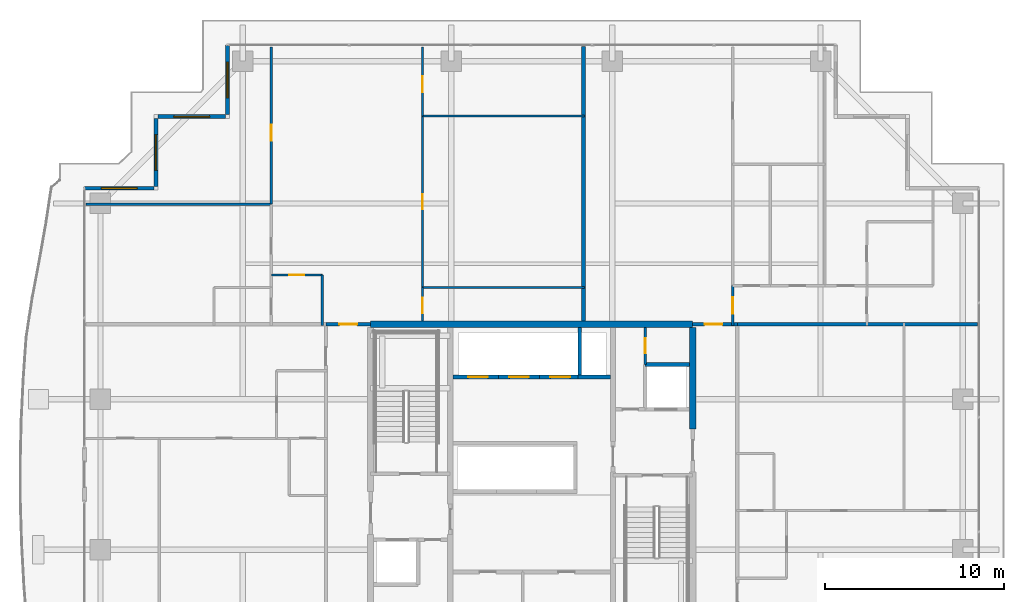
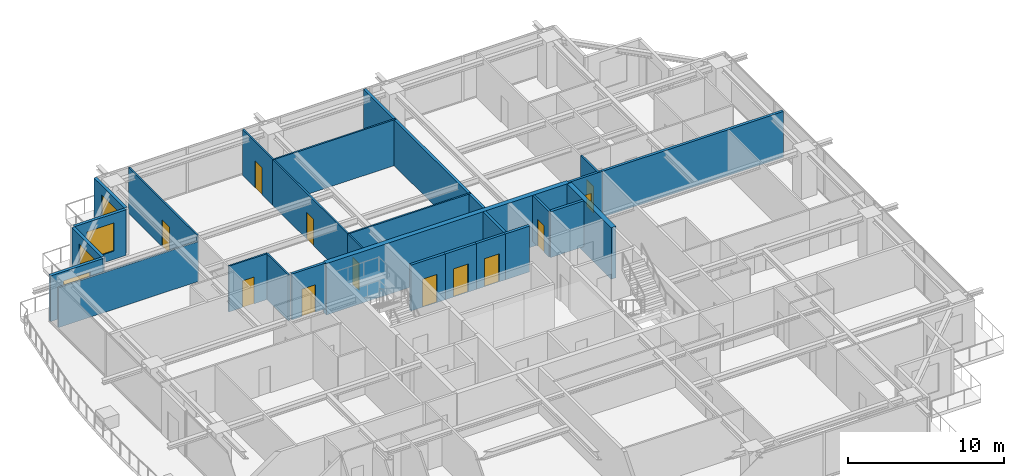
# One storey, part 27 of 35: 27 walls, 12 doors, 4 windows, 16 openings.
"""IFC4 building model written with IfcOpenShell, lengths in metres."""

from ifc_helpers import new_model, si_unit, direction, frame, frame_2d, origin, place, context, subcontext, project, spatial, rectangle, extrude, source, transform, mapped, material, layer, layer_set, type_object, element, fill, save


model = new_model("IFC4")

# Units and contexts
model_context = context("Model", 3, precision=1e-05, world=origin(), true_north=direction((0.0, 1.0)))
body_context = subcontext(model_context, "Body", "Model", "MODEL_VIEW")
ifc_project = project(units=[si_unit("LENGTHUNIT", "METRE"), si_unit("AREAUNIT", "SQUARE_METRE"), si_unit("VOLUMEUNIT", "CUBIC_METRE"), si_unit("PLANEANGLEUNIT", "RADIAN"), si_unit("MASSUNIT", "GRAM", prefix="KILO")], contexts=[model_context])

# Site, building, storey
site_placement = place(None, origin())
site = spatial("IfcSite", under=ifc_project, at=site_placement, CompositionType="ELEMENT")
building_placement = place(site_placement, origin())
building = spatial("IfcBuilding", under=site, at=building_placement, Name="Serunith Strait Residences", CompositionType="ELEMENT")
storey_placement = place(building_placement, frame((0.0, 0.0, 210.449951171875)))
storey = spatial("IfcBuildingStorey", under=building, at=storey_placement, Name="L52", CompositionType="ELEMENT", Elevation=210.449951171875)

# Wall, opening, window
ifc_material_1 = material(Name="Pale-Champagne Aluminium Insulated Panel", Category="aluminium")
ifc_layer_1 = layer(ifc_material_1, 0.219970703125, Name="Pale-Champagne Aluminium Insulated Panel")
ifc_layer_set_1 = layer_set([ifc_layer_1], Name="Pale-Champagne Aluminium Insulated Panel")
wall_type_1 = type_object("IfcWallType", Name="EW-ALUM-220", PredefinedType="ELEMENTEDWALL", material=ifc_layer_set_1)
wall_1_placement = place(storey_placement, frame((15.39990234375, 49.199951171875, 0.0), z_axis=(0.0, 0.0, 1.0), x_axis=(0.0, -1.0, 0.0)))
wall_1 = element("IfcWall", 1, at=wall_1_placement, inside=storey, type_object=wall_type_1, Name="L52 Girih Serrated Corner Wall 12", PredefinedType="ELEMENTEDWALL", context=body_context, shape_type="SweptSolid", body=[
    extrude(rectangle(XDim=3.889892578125, YDim=0.219970703125, at=frame_2d((1.94482421875, 0.0))), origin(), (0.0, 0.0, 1.0), 3.574951171875),
])
opening_1_placement = place(wall_1_placement, frame((0.945068359375, 0.0, 0.64990234375)))
opening_1 = element("IfcOpeningElement", 2, at=opening_1_placement, cuts=wall_1, Name="Opening W-04", PredefinedType="OPENING", context=body_context, shape_type="SweptSolid", body=[
    extrude(rectangle(XDim=2.0, YDim=2.199951171875, at=frame_2d((1.0, 1.10009765625))), frame((0.0, 0.1201171875, 0.0), z_axis=(0.0, -1.0, 0.0), x_axis=(1.0, 0.0, 0.0)), (0.0, 0.0, 1.0), 0.239990234375),
])
ifc_material_2 = material(Name="Ceramic-Fritted Operable Aluminium Window Glass", Category="aluminium")
window_type = type_object("IfcWindowType", Name="WIN-C4", PartitioningType="TRIPLE_PANEL_VERTICAL", PredefinedType="WINDOW", material=ifc_material_2)
shared_shape_1 = source(origin(), body_context, "Body", "SweptSolid", [
    extrude(rectangle(XDim=2.0, YDim=2.199951171875, at=frame_2d((1.0, 1.10009765625))), frame((0.0, 0.030029296875, 0.0), z_axis=(0.0, -1.0, 0.0), x_axis=(1.0, 0.0, 0.0)), (0.0, 0.0, 1.0), 0.06005859375),
])
window_1_placement = place(opening_1_placement, origin())
window_1 = element("IfcWindow", 3, at=window_1_placement, inside=storey, type_object=window_type, Name="L52 Corner Operable Fritted Window 12", OverallHeight=2.199951171875, OverallWidth=2.0, PartitioningType="SINGLE_PANEL", PredefinedType="WINDOW", context=body_context, shape_type="MappedRepresentation", body=[
    mapped(shared_shape_1, transform((0.0, 0.0, 0.0), scale=1.0)),
])
fill(opening_1, window_1)

wall_2_placement = place(storey_placement, frame((15.2900390625, 45.199951171875, 0.0), z_axis=(0.0, 0.0, 1.0), x_axis=(-1.0, 0.0, 0.0)))
wall_2 = element("IfcWall", 4, at=wall_2_placement, inside=storey, type_object=wall_type_1, Name="L52 Girih Serrated Corner Wall 13", PredefinedType="ELEMENTEDWALL", context=body_context, shape_type="SweptSolid", body=[
    extrude(rectangle(XDim=3.780029296875, YDim=0.219970703125, at=frame_2d((1.89013671875, 0.0))), origin(), (0.0, 0.0, 1.0), 3.574951171875),
])
opening_2_placement = place(wall_2_placement, frame((0.889892578125, 0.0, 0.64990234375)))
opening_2 = element("IfcOpeningElement", 5, at=opening_2_placement, cuts=wall_2, Name="Opening W-04", PredefinedType="OPENING", context=body_context, shape_type="SweptSolid", body=[
    extrude(rectangle(XDim=2.0, YDim=2.199951171875, at=frame_2d((1.0, 1.10009765625))), frame((0.0, 0.1201171875, 0.0), z_axis=(0.0, -1.0, 0.0), x_axis=(1.0, 0.0, 0.0)), (0.0, 0.0, 1.0), 0.239990234375),
])
window_2_placement = place(opening_2_placement, origin())
window_2 = element("IfcWindow", 6, at=window_2_placement, inside=storey, type_object=window_type, Name="L52 Corner Operable Fritted Window 13", OverallHeight=2.199951171875, OverallWidth=2.0, PartitioningType="SINGLE_PANEL", PredefinedType="WINDOW", context=body_context, shape_type="MappedRepresentation", body=[
    mapped(shared_shape_1, transform((0.0, 0.0, 0.0), scale=1.0)),
])
fill(opening_2, window_2)

wall_3_placement = place(storey_placement, frame((11.39990234375, 45.090087890625, 0.0), z_axis=(0.0, 0.0, 1.0), x_axis=(0.0, -1.0, 0.0)))
wall_3 = element("IfcWall", 7, at=wall_3_placement, inside=storey, type_object=wall_type_1, Name="L52 Girih Serrated Corner Wall 14", PredefinedType="ELEMENTEDWALL", context=body_context, shape_type="SweptSolid", body=[
    extrude(rectangle(XDim=3.780029296875, YDim=0.219970703125, at=frame_2d((1.89013671875, 0.0))), origin(), (0.0, 0.0, 1.0), 3.574951171875),
])
opening_3_placement = place(wall_3_placement, frame((0.889892578125, 0.0, 0.64990234375)))
opening_3 = element("IfcOpeningElement", 8, at=opening_3_placement, cuts=wall_3, Name="Opening W-04", PredefinedType="OPENING", context=body_context, shape_type="SweptSolid", body=[
    extrude(rectangle(XDim=2.0, YDim=2.199951171875, at=frame_2d((1.0, 1.10009765625))), frame((0.0, 0.1201171875, 0.0), z_axis=(0.0, -1.0, 0.0), x_axis=(1.0, 0.0, 0.0)), (0.0, 0.0, 1.0), 0.239990234375),
])
window_3_placement = place(opening_3_placement, origin())
window_3 = element("IfcWindow", 9, at=window_3_placement, inside=storey, type_object=window_type, Name="L52 Corner Operable Fritted Window 14", OverallHeight=2.199951171875, OverallWidth=2.0, PartitioningType="SINGLE_PANEL", PredefinedType="WINDOW", context=body_context, shape_type="MappedRepresentation", body=[
    mapped(shared_shape_1, transform((0.0, 0.0, 0.0), scale=1.0)),
])
fill(opening_3, window_3)

wall_4_placement = place(storey_placement, frame((11.2900390625, 41.199951171875, 0.0), z_axis=(0.0, 0.0, 1.0), x_axis=(-1.0, 0.0, 0.0)))
wall_4 = element("IfcWall", 10, at=wall_4_placement, inside=storey, type_object=wall_type_1, Name="L52 Girih Serrated Corner Wall 15", PredefinedType="ELEMENTEDWALL", context=body_context, shape_type="SweptSolid", body=[
    extrude(rectangle(XDim=3.89013671875, YDim=0.219970703125, at=frame_2d((1.945068359375, 0.0))), origin(), (0.0, 0.0, 1.0), 3.574951171875),
])
opening_4_placement = place(wall_4_placement, frame((0.945068359375, 0.0, 0.64990234375)))
opening_4 = element("IfcOpeningElement", 11, at=opening_4_placement, cuts=wall_4, Name="Opening W-04", PredefinedType="OPENING", context=body_context, shape_type="SweptSolid", body=[
    extrude(rectangle(XDim=2.0, YDim=2.199951171875, at=frame_2d((1.0, 1.10009765625))), frame((0.0, 0.1201171875, 0.0), z_axis=(0.0, -1.0, 0.0), x_axis=(1.0, 0.0, 0.0)), (0.0, 0.0, 1.0), 0.239990234375),
])
window_4_placement = place(opening_4_placement, origin())
window_4 = element("IfcWindow", 12, at=window_4_placement, inside=storey, type_object=window_type, Name="L52 Corner Operable Fritted Window 15", OverallHeight=2.199951171875, OverallWidth=2.0, PartitioningType="SINGLE_PANEL", PredefinedType="WINDOW", context=body_context, shape_type="MappedRepresentation", body=[
    mapped(shared_shape_1, transform((0.0, 0.0, 0.0), scale=1.0)),
])
fill(opening_4, window_4)

# Wall, opening, door
ifc_material_3 = material(Name="Fire-rated masonry service closet wall", Category="masonry")
ifc_layer_2 = layer(ifc_material_3, 0.14990234375, Name="Fire-rated masonry service closet wall")
ifc_layer_set_2 = layer_set([ifc_layer_2], Name="Fire-rated masonry service closet wall")
wall_type_2 = type_object("IfcWallType", Name="IW-BOH-150", PredefinedType="PARTITIONING", material=ifc_layer_set_2)
wall_5_placement = place(storey_placement, frame((38.75, 31.35205078125, 0.0), z_axis=(0.0, 0.0, 1.0), x_axis=(0.0, 1.0, 0.0)))
wall_5 = element("IfcWall", 13, at=wall_5_placement, inside=storey, type_object=wall_type_2, Name="L52 Partition Wall 012", PredefinedType="PARTITIONING", context=body_context, shape_type="SweptSolid", body=[
    extrude(rectangle(XDim=2.072998046875, YDim=0.14990234375, at=frame_2d((1.03662109375, 0.0))), origin(), (0.0, 0.0, 1.0), 3.590087890625),
])
opening_5_placement = place(wall_5_placement, frame((0.611083984375, 0.0, 0.0)))
opening_5 = element("IfcOpeningElement", 14, at=opening_5_placement, cuts=wall_5, Name="Opening FD-850", PredefinedType="OPENING", context=body_context, shape_type="SweptSolid", body=[
    extrude(rectangle(XDim=0.85009765625, YDim=2.10009765625, at=frame_2d((0.425048828125, 1.050048828125))), frame((0.0, 0.0849609375, 0.0), z_axis=(0.0, -1.0, 0.0), x_axis=(1.0, 0.0, 0.0)), (0.0, 0.0, 1.0), 0.169921875),
])
ifc_material_4 = material(Name="Powder-coated steel service closet door", Category="steel")
door_type_1 = type_object("IfcDoorType", Name="FD-BOH-850", OperationType="NOTDEFINED", PredefinedType="DOOR", material=ifc_material_4)
shared_shape_2 = source(origin(), body_context, "Body", "SweptSolid", [
    extrude(rectangle(XDim=0.85009765625, YDim=2.10009765625, at=frame_2d((0.425048828125, 1.050048828125))), frame((0.0, 0.02490234375, 0.0), z_axis=(0.0, -1.0, 0.0), x_axis=(1.0, 0.0, 0.0)), (0.0, 0.0, 1.0), 0.050048828125),
])
door_1_placement = place(opening_5_placement, origin())
door_1 = element("IfcDoor", 15, at=door_1_placement, inside=storey, type_object=door_type_1, Name="L52 ELV Data Closet Door", OperationType="SINGLE_SWING_RIGHT", OverallHeight=2.10009765625, OverallWidth=0.85009765625, PredefinedType="DOOR", context=body_context, shape_type="MappedRepresentation", body=[
    mapped(shared_shape_2, transform((0.0, 0.0, 0.0), scale=1.0)),
])
fill(opening_5, door_1)

ifc_material_5 = material(Name="Fire-rated acoustic gypsum partition")
ifc_layer_3 = layer(ifc_material_5, 0.179931640625, Name="Fire-rated acoustic gypsum partition")
ifc_layer_set_3 = layer_set([ifc_layer_3], Name="Fire-rated acoustic gypsum partition")
wall_type_3 = type_object("IfcWallType", Name="IW-CORR-180", PredefinedType="PARTITIONING", material=ifc_layer_set_3)
wall_6_placement = place(storey_placement, frame((20.902099609375, 33.60009765625, 0.0), z_axis=(0.0, 0.0, 1.0), x_axis=(1.0, 0.0, 0.0)))
wall_6 = element("IfcWall", 16, at=wall_6_placement, inside=storey, type_object=wall_type_3, Name="L52 Partition Wall 023", PredefinedType="PARTITIONING", context=body_context, shape_type="SweptSolid", body=[
    extrude(rectangle(XDim=2.495849609375, YDim=0.179931640625, at=frame_2d((1.248046875, 0.0))), origin(), (0.0, 0.0, 1.0), 3.590087890625),
])
opening_6_placement = place(wall_6_placement, frame((0.748046875, 0.0, 0.0)))
opening_6 = element("IfcOpeningElement", 17, at=opening_6_placement, cuts=wall_6, Name="Opening D-APT1000", PredefinedType="OPENING", context=body_context, shape_type="SweptSolid", body=[
    extrude(rectangle(XDim=1.0, YDim=2.14990234375, at=frame_2d((0.5, 1.074951171875))), frame((0.0, 0.10009765625, 0.0), z_axis=(0.0, -1.0, 0.0), x_axis=(1.0, 0.0, 0.0)), (0.0, 0.0, 1.0), 0.199951171875),
])
ifc_material_6 = material(Name="Solid timber engineered fire door", Category="wood")
door_type_2 = type_object("IfcDoorType", Name="ID-APT-1000", OperationType="NOTDEFINED", PredefinedType="DOOR", material=ifc_material_6)
shared_shape_3 = source(origin(), body_context, "Body", "SweptSolid", [
    extrude(rectangle(XDim=1.0, YDim=2.14990234375, at=frame_2d((0.5, 1.074951171875))), frame((0.0, 0.02490234375, 0.0), z_axis=(0.0, -1.0, 0.0), x_axis=(1.0, 0.0, 0.0)), (0.0, 0.0, 1.0), 0.050048828125),
])
door_2_placement = place(opening_6_placement, origin())
door_2 = element("IfcDoor", 18, at=door_2_placement, inside=storey, type_object=door_type_2, Name="L52 Unit 03 Entrance Door", OperationType="SINGLE_SWING_RIGHT", OverallHeight=2.14990234375, OverallWidth=1.0, PredefinedType="DOOR", context=body_context, shape_type="MappedRepresentation", body=[
    mapped(shared_shape_3, transform((0.0, 0.0, 0.0), scale=1.0)),
])
fill(opening_6, door_2)

wall_7_placement = place(storey_placement, frame((41.402099609375, 33.60009765625, 0.0), z_axis=(0.0, 0.0, 1.0), x_axis=(1.0, 0.0, 0.0)))
wall_7 = element("IfcWall", 19, at=wall_7_placement, inside=storey, type_object=wall_type_3, Name="L52 Partition Wall 026", PredefinedType="PARTITIONING", context=body_context, shape_type="SweptSolid", body=[
    extrude(rectangle(XDim=2.495849609375, YDim=0.179931640625, at=frame_2d((1.248046875, 0.0))), origin(), (0.0, 0.0, 1.0), 3.590087890625),
])
opening_7_placement = place(wall_7_placement, frame((0.666015625, 0.0, 0.0)))
opening_7 = element("IfcOpeningElement", 20, at=opening_7_placement, cuts=wall_7, Name="Opening D-APT1000", PredefinedType="OPENING", context=body_context, shape_type="SweptSolid", body=[
    extrude(rectangle(XDim=1.0, YDim=2.14990234375, at=frame_2d((0.5, 1.074951171875))), frame((0.0, 0.10009765625, 0.0), z_axis=(0.0, -1.0, 0.0), x_axis=(1.0, 0.0, 0.0)), (0.0, 0.0, 1.0), 0.199951171875),
])
door_3_placement = place(opening_7_placement, origin())
door_3 = element("IfcDoor", 21, at=door_3_placement, inside=storey, type_object=door_type_2, Name="L52 Unit 04 Entrance Door", OperationType="SINGLE_SWING_LEFT", OverallHeight=2.14990234375, OverallWidth=1.0, PredefinedType="DOOR", context=body_context, shape_type="MappedRepresentation", body=[
    mapped(shared_shape_3, transform((0.0, 0.0, 0.0), scale=1.0)),
])
fill(opening_7, door_3)

ifc_material_7 = material(Name="Lightweight steel-stud gypsum partition", Category="steel")
ifc_layer_4 = layer(ifc_material_7, 0.1201171875, Name="Lightweight steel-stud gypsum partition")
ifc_layer_set_4 = layer_set([ifc_layer_4], Name="Lightweight steel-stud gypsum partition")
wall_type_4 = type_object("IfcWallType", Name="IW-PART-120", PredefinedType="PARTITIONING", material=ifc_layer_set_4)
wall_8_placement = place(storey_placement, frame((17.85009765625, 36.35009765625, 0.0), z_axis=(0.0, 0.0, 1.0), x_axis=(1.0, 0.0, 0.0)))
wall_8 = element("IfcWall", 22, at=wall_8_placement, inside=storey, type_object=wall_type_4, Name="L52 Partition Wall 055", PredefinedType="PARTITIONING", context=body_context, shape_type="SweptSolid", body=[
    extrude(rectangle(XDim=2.849853515625, YDim=0.1201171875, at=frame_2d((1.4248046875, 0.0))), origin(), (0.0, 0.0, 1.0), 3.590087890625),
])
opening_8_placement = place(wall_8_placement, frame((1.0, 0.0, 0.0)))
opening_8 = element("IfcOpeningElement", 23, at=opening_8_placement, cuts=wall_8, Name="Opening D-RM850", PredefinedType="OPENING", context=body_context, shape_type="SweptSolid", body=[
    extrude(rectangle(XDim=0.85009765625, YDim=2.10009765625, at=frame_2d((0.425048828125, 1.050048828125))), frame((0.0, 0.070068359375, 0.0), z_axis=(0.0, -1.0, 0.0), x_axis=(1.0, 0.0, 0.0)), (0.0, 0.0, 1.0), 0.14013671875),
])
ifc_material_8 = material(Name="Engineered timber flush study and kitchen door", Category="wood")
door_type_3 = type_object("IfcDoorType", Name="ID-ROOM-850", OperationType="NOTDEFINED", PredefinedType="DOOR", material=ifc_material_8)
door_4_placement = place(opening_8_placement, origin())
door_4 = element("IfcDoor", 24, at=door_4_placement, inside=storey, type_object=door_type_3, Name="L52 Kitchen 5203 Door", OperationType="SINGLE_SWING_LEFT", OverallHeight=2.10009765625, OverallWidth=0.85009765625, PredefinedType="DOOR", context=body_context, shape_type="MappedRepresentation", body=[
    mapped(shared_shape_2, transform((0.0, 0.0, 0.0), scale=1.0)),
])
fill(opening_8, door_4)

# Wall
wall_9_placement = place(storey_placement, frame((20.699951171875, 36.35009765625, 0.0), z_axis=(0.0, 0.0, 1.0), x_axis=(0.0, -1.0, 0.0)))
element("IfcWall", 25, at=wall_9_placement, inside=storey, type_object=wall_type_4, Name="L52 Partition Wall 056", PredefinedType="PARTITIONING", context=body_context, shape_type="SweptSolid", body=[
    extrude(rectangle(XDim=2.81005859375, YDim=0.1201171875, at=frame_2d((1.405029296875, 0.0))), origin(), (0.0, 0.0, 1.0), 3.590087890625),
])

# Wall, opening, door
wall_10_placement = place(storey_placement, frame((17.85009765625, 49.10498046875, 0.0), z_axis=(0.0, 0.0, 1.0), x_axis=(0.0, -1.0, 0.0)))
wall_10 = element("IfcWall", 26, at=wall_10_placement, inside=storey, type_object=wall_type_4, Name="L52 Partition Wall 057", PredefinedType="PARTITIONING", context=body_context, shape_type="SweptSolid", body=[
    extrude(rectangle(XDim=8.799072265625, YDim=0.1201171875, at=frame_2d((4.3994140625, 0.0))), origin(), (0.0, 0.0, 1.0), 3.590087890625),
])
opening_9_placement = place(wall_10_placement, frame((4.343994140625, 0.0, 0.0)))
opening_9 = element("IfcOpeningElement", 27, at=opening_9_placement, cuts=wall_10, Name="Opening D-RM900", PredefinedType="OPENING", context=body_context, shape_type="SweptSolid", body=[
    extrude(rectangle(XDim=0.89990234375, YDim=2.10009765625, at=frame_2d((0.449951171875, 1.050048828125))), frame((0.0, 0.070068359375, 0.0), z_axis=(0.0, -1.0, 0.0), x_axis=(1.0, 0.0, 0.0)), (0.0, 0.0, 1.0), 0.14013671875),
])
ifc_material_9 = material(Name="Engineered timber flush bedroom door", Category="wood")
door_type_4 = type_object("IfcDoorType", Name="ID-ROOM-900", OperationType="NOTDEFINED", PredefinedType="DOOR", material=ifc_material_9)
shared_shape_4 = source(origin(), body_context, "Body", "SweptSolid", [
    extrude(rectangle(XDim=0.89990234375, YDim=2.10009765625, at=frame_2d((0.449951171875, 1.050048828125))), frame((0.0, 0.02490234375, 0.0), z_axis=(0.0, -1.0, 0.0), x_axis=(1.0, 0.0, 0.0)), (0.0, 0.0, 1.0), 0.050048828125),
])
door_5_placement = place(opening_9_placement, origin())
door_5 = element("IfcDoor", 28, at=door_5_placement, inside=storey, type_object=door_type_4, Name="L52 Master Bedroom 1 5203 Door", OperationType="SINGLE_SWING_RIGHT", OverallHeight=2.10009765625, OverallWidth=0.89990234375, PredefinedType="DOOR", context=body_context, shape_type="MappedRepresentation", body=[
    mapped(shared_shape_4, transform((0.0, 0.0, 0.0), scale=1.0)),
])
fill(opening_9, door_5)

# Wall
wall_11_placement = place(storey_placement, frame((7.4951171875, 40.305908203125, 0.0), z_axis=(0.0, 0.0, 1.0), x_axis=(1.0, 0.0, 0.0)))
element("IfcWall", 29, at=wall_11_placement, inside=storey, type_object=wall_type_4, Name="L52 Partition Wall 058", PredefinedType="PARTITIONING", context=body_context, shape_type="SweptSolid", body=[
    extrude(rectangle(XDim=10.35498046875, YDim=0.1201171875, at=frame_2d((5.177490234375, 0.0))), origin(), (0.0, 0.0, 1.0), 3.1220703125),
])

# Wall, opening, door
wall_12_placement = place(storey_placement, frame((26.300048828125, 49.10498046875, 0.0), z_axis=(0.0, 0.0, 1.0), x_axis=(0.0, -1.0, 0.0)))
wall_12 = element("IfcWall", 30, at=wall_12_placement, inside=storey, type_object=wall_type_4, Name="L52 Partition Wall 063", PredefinedType="PARTITIONING", context=body_context, shape_type="SweptSolid", body=[
    extrude(rectangle(XDim=3.868896484375, YDim=0.1201171875, at=frame_2d((1.9345703125, 0.0))), origin(), (0.0, 0.0, 1.0), 3.590087890625),
])
opening_10_placement = place(wall_12_placement, frame((1.633056640625, 0.0, 0.0)))
opening_10 = element("IfcOpeningElement", 31, at=opening_10_placement, cuts=wall_12, Name="Opening D-RM900", PredefinedType="OPENING", context=body_context, shape_type="SweptSolid", body=[
    extrude(rectangle(XDim=0.89990234375, YDim=2.10009765625, at=frame_2d((0.449951171875, 1.050048828125))), frame((0.0, 0.070068359375, 0.0), z_axis=(0.0, -1.0, 0.0), x_axis=(1.0, 0.0, 0.0)), (0.0, 0.0, 1.0), 0.14013671875),
])
door_6_placement = place(opening_10_placement, origin())
door_6 = element("IfcDoor", 32, at=door_6_placement, inside=storey, type_object=door_type_4, Name="L52 Bedroom 2 5203 Door", OperationType="SINGLE_SWING_LEFT", OverallHeight=2.10009765625, OverallWidth=0.89990234375, PredefinedType="DOOR", context=body_context, shape_type="MappedRepresentation", body=[
    mapped(shared_shape_4, transform((0.0, 0.0, 0.0), scale=1.0)),
])
fill(opening_10, door_6)

# Walls
for number, where, z_axis, x_axis, name in (
    (33, (26.300048828125, 45.236083984375, 0.0), (0.0, 0.0, 1.0), (1.0, 0.0, 0.0), "L52 Partition Wall 064"),
    (34, (26.300048828125, 35.64990234375, 0.0), (0.0, 0.0, 1.0), (1.0, 0.0, 0.0), "L52 Partition Wall 065"),
):
    element("IfcWall", number, at=place(storey_placement, frame(where, z_axis=z_axis, x_axis=x_axis)), inside=storey, type_object=wall_type_4, Name=name, PredefinedType="PARTITIONING", context=body_context, shape_type="SweptSolid", body=[
        extrude(rectangle(XDim=9.06005859375, YDim=0.1201171875, at=frame_2d((4.530029296875, 0.0))), origin(), (0.0, 0.0, 1.0), 3.590087890625),
    ])

# Wall, opening, door
wall_13_placement = place(storey_placement, frame((26.300048828125, 45.23388671875, 0.0), z_axis=(0.0, 0.0, 1.0), x_axis=(0.0, -1.0, 0.0)))
wall_13 = element("IfcWall", 35, at=wall_13_placement, inside=storey, type_object=wall_type_4, Name="L52 Partition Wall 066", PredefinedType="PARTITIONING", context=body_context, shape_type="SweptSolid", body=[
    extrude(rectangle(XDim=9.583984375, YDim=0.1201171875, at=frame_2d((4.7919921875, 0.0))), origin(), (0.0, 0.0, 1.0), 3.590087890625),
])
opening_11_placement = place(wall_13_placement, frame((4.366943359375, 0.0, 0.0)))
opening_11 = element("IfcOpeningElement", 36, at=opening_11_placement, cuts=wall_13, Name="Opening D-RM850", PredefinedType="OPENING", context=body_context, shape_type="SweptSolid", body=[
    extrude(rectangle(XDim=0.85009765625, YDim=2.10009765625, at=frame_2d((0.425048828125, 1.050048828125))), frame((0.0, 0.070068359375, 0.0), z_axis=(0.0, -1.0, 0.0), x_axis=(1.0, 0.0, 0.0)), (0.0, 0.0, 1.0), 0.14013671875),
])
door_7_placement = place(opening_11_placement, origin())
door_7 = element("IfcDoor", 37, at=door_7_placement, inside=storey, type_object=door_type_3, Name="L52 Walk-in Wardrobe 5203 Door", OperationType="SINGLE_SWING_RIGHT", OverallHeight=2.10009765625, OverallWidth=0.85009765625, PredefinedType="DOOR", context=body_context, shape_type="MappedRepresentation", body=[
    mapped(shared_shape_2, transform((0.0, 0.0, 0.0), scale=1.0)),
])
fill(opening_11, door_7)

wall_14_placement = place(storey_placement, frame((26.300048828125, 35.64794921875, 0.0), z_axis=(0.0, 0.0, 1.0), x_axis=(0.0, -1.0, 0.0)))
wall_14 = element("IfcWall", 38, at=wall_14_placement, inside=storey, type_object=wall_type_4, Name="L52 Partition Wall 067", PredefinedType="PARTITIONING", context=body_context, shape_type="SweptSolid", body=[
    extrude(rectangle(XDim=1.873046875, YDim=0.1201171875, at=frame_2d((0.9365234375, 0.0))), origin(), (0.0, 0.0, 1.0), 3.590087890625),
])
opening_12_placement = place(wall_14_placement, frame((0.574951171875, 0.0, 0.0)))
opening_12 = element("IfcOpeningElement", 39, at=opening_12_placement, cuts=wall_14, Name="Opening D-BTH850", PredefinedType="OPENING", context=body_context, shape_type="SweptSolid", body=[
    extrude(rectangle(XDim=0.85009765625, YDim=2.10009765625, at=frame_2d((0.425048828125, 1.050048828125))), frame((0.0, 0.070068359375, 0.0), z_axis=(0.0, -1.0, 0.0), x_axis=(1.0, 0.0, 0.0)), (0.0, 0.0, 1.0), 0.14013671875),
])
ifc_material_10 = material(Name="Moisture-resistant timber bathroom door", Category="wood")
door_type_5 = type_object("IfcDoorType", Name="ID-BATH-850", OperationType="NOTDEFINED", PredefinedType="DOOR", material=ifc_material_10)
door_8_placement = place(opening_12_placement, origin())
door_8 = element("IfcDoor", 40, at=door_8_placement, inside=storey, type_object=door_type_5, Name="L52 Bathroom 5203 Door", OperationType="SINGLE_SWING_LEFT", OverallHeight=2.10009765625, OverallWidth=0.85009765625, PredefinedType="DOOR", context=body_context, shape_type="MappedRepresentation", body=[
    mapped(shared_shape_2, transform((0.0, 0.0, 0.0), scale=1.0)),
])
fill(opening_12, door_8)

wall_15_placement = place(storey_placement, frame((43.639892578125, 35.75, 0.0), z_axis=(0.0, 0.0, 1.0), x_axis=(0.0, -1.0, 0.0)))
wall_15 = element("IfcWall", 41, at=wall_15_placement, inside=storey, type_object=wall_type_4, Name="L52 Partition Wall 068", PredefinedType="PARTITIONING", context=body_context, shape_type="SweptSolid", body=[
    extrude(rectangle(XDim=2.2099609375, YDim=0.1201171875, at=frame_2d((1.10498046875, 0.0))), origin(), (0.0, 0.0, 1.0), 3.590087890625),
])
opening_13_placement = place(wall_15_placement, frame((0.655029296875, 0.0, 0.0)))
opening_13 = element("IfcOpeningElement", 42, at=opening_13_placement, cuts=wall_15, Name="Opening D-RM900", PredefinedType="OPENING", context=body_context, shape_type="SweptSolid", body=[
    extrude(rectangle(XDim=0.89990234375, YDim=2.10009765625, at=frame_2d((0.449951171875, 1.050048828125))), frame((0.0, 0.070068359375, 0.0), z_axis=(0.0, -1.0, 0.0), x_axis=(1.0, 0.0, 0.0)), (0.0, 0.0, 1.0), 0.14013671875),
])
door_9_placement = place(opening_13_placement, origin())
door_9 = element("IfcDoor", 43, at=door_9_placement, inside=storey, type_object=door_type_4, Name="L52 Hall E 5204 Door", OperationType="SINGLE_SWING_RIGHT", OverallHeight=2.10009765625, OverallWidth=0.89990234375, PredefinedType="DOOR", context=body_context, shape_type="MappedRepresentation", body=[
    mapped(shared_shape_4, transform((0.0, 0.0, 0.0), scale=1.0)),
])
fill(opening_13, door_9)

# Walls
ifc_material_11 = material(Name="Twin-stud acoustic gypsum board partition")
ifc_layer_5 = layer(ifc_material_11, 0.199951171875, Name="Twin-stud acoustic gypsum board partition")
ifc_layer_set_5 = layer_set([ifc_layer_5], Name="Twin-stud acoustic gypsum board partition")
wall_type_5 = type_object("IfcWallType", Name="IW-PARTY-200", PredefinedType="PARTITIONING", material=ifc_layer_set_5)
wall_16_placement = place(storey_placement, frame((35.300048828125, 33.77490234375, 0.0), z_axis=(0.0, 0.0, 1.0), x_axis=(0.0, 1.0, 0.0)))
element("IfcWall", 44, at=wall_16_placement, inside=storey, type_object=wall_type_5, Name="L52 Partition Wall 017", PredefinedType="PARTITIONING", context=body_context, shape_type="SweptSolid", body=[
    extrude(rectangle(XDim=15.343017578125, YDim=0.199951171875, at=frame_2d((7.67138671875, 0.0))), origin(), (0.0, 0.0, 1.0), 3.590087890625),
])
wall_17_placement = place(storey_placement, frame((43.89990234375, 33.60009765625, 0.0), z_axis=(0.0, 0.0, 1.0), x_axis=(1.0, 0.0, 0.0)))
element("IfcWall", 45, at=wall_17_placement, inside=storey, type_object=wall_type_5, Name="L52 Partition Wall 021", PredefinedType="PARTITIONING", context=body_context, shape_type="SweptSolid", body=[
    extrude(rectangle(XDim=13.418212890625, YDim=0.199951171875, at=frame_2d((6.708984375, 0.0))), origin(), (0.0, 0.0, 1.0), 3.590087890625),
])

# Wall, opening, door
ifc_material_12 = material(Name="Autoclaved aerated concrete blockwork", Category="masonry")
ifc_layer_6 = layer(ifc_material_12, 0.199951171875, Name="Autoclaved aerated concrete blockwork")
ifc_layer_set_6 = layer_set([ifc_layer_6], Name="Autoclaved aerated concrete blockwork")
wall_type_6 = type_object("IfcWallType", Name="IW-SHAFT-200", PredefinedType="STANDARD", material=ifc_layer_set_6)
wall_18_placement = place(storey_placement, frame((28.0, 30.64990234375, 0.0), z_axis=(0.0, 0.0, 1.0), x_axis=(1.0, 0.0, 0.0)))
wall_18 = element("IfcWall", 46, at=wall_18_placement, inside=storey, type_object=wall_type_6, Name="L52 PL-7 South Shaft Wall", PredefinedType="STANDARD", context=body_context, shape_type="SweptSolid", body=[
    extrude(rectangle(XDim=2.550048828125, YDim=0.199951171875, at=frame_2d((1.27490234375, 0.0))), origin(), (0.0, 0.0, 1.0), 3.590087890625),
])
opening_14_placement = place(wall_18_placement, frame((0.85009765625, 0.0, 0.0)))
opening_14 = element("IfcOpeningElement", 47, at=opening_14_placement, cuts=wall_18, Name="Opening LD-1100", PredefinedType="OPENING", context=body_context, shape_type="SweptSolid", body=[
    extrude(rectangle(XDim=1.10009765625, YDim=2.199951171875, at=frame_2d((0.550048828125, 1.10009765625))), frame((0.0, 0.10986328125, 0.0), z_axis=(0.0, -1.0, 0.0), x_axis=(1.0, 0.0, 0.0)), (0.0, 0.0, 1.0), 0.219970703125),
])
ifc_material_13 = material(Name="Pale-champagne stainless landing door")
door_type_6 = type_object("IfcDoorType", Name="LD-LIFT-1100", OperationType="DOUBLE_DOOR_SLIDING", PredefinedType="DOOR", material=ifc_material_13)
shared_shape_5 = source(origin(), body_context, "Body", "SweptSolid", [
    extrude(rectangle(XDim=1.10009765625, YDim=2.199951171875, at=frame_2d((0.550048828125, 1.10009765625))), frame((0.0, 0.02490234375, 0.0), z_axis=(0.0, -1.0, 0.0), x_axis=(1.0, 0.0, 0.0)), (0.0, 0.0, 1.0), 0.050048828125),
])
door_10_placement = place(opening_14_placement, origin())
door_10 = element("IfcDoor", 48, at=door_10_placement, inside=storey, type_object=door_type_6, Name="L52 PL-7 Landing Door", OperationType="DOUBLE_DOOR_SLIDING", OverallHeight=2.199951171875, OverallWidth=1.10009765625, PredefinedType="DOOR", context=body_context, shape_type="MappedRepresentation", body=[
    mapped(shared_shape_5, transform((0.0, 0.0, 0.0), scale=1.0)),
])
fill(opening_14, door_10)

wall_19_placement = place(storey_placement, frame((30.550048828125, 30.64990234375, 0.0), z_axis=(0.0, 0.0, 1.0), x_axis=(1.0, 0.0, 0.0)))
wall_19 = element("IfcWall", 49, at=wall_19_placement, inside=storey, type_object=wall_type_6, Name="L52 PL-8 South Shaft Wall", PredefinedType="STANDARD", context=body_context, shape_type="SweptSolid", body=[
    extrude(rectangle(XDim=2.300048828125, YDim=0.199951171875, at=frame_2d((1.14990234375, 0.0))), origin(), (0.0, 0.0, 1.0), 3.590087890625),
])
opening_15_placement = place(wall_19_placement, frame((0.60009765625, 0.0, 0.0)))
opening_15 = element("IfcOpeningElement", 50, at=opening_15_placement, cuts=wall_19, Name="Opening LD-1100", PredefinedType="OPENING", context=body_context, shape_type="SweptSolid", body=[
    extrude(rectangle(XDim=1.10009765625, YDim=2.199951171875, at=frame_2d((0.550048828125, 1.10009765625))), frame((0.0, 0.10986328125, 0.0), z_axis=(0.0, -1.0, 0.0), x_axis=(1.0, 0.0, 0.0)), (0.0, 0.0, 1.0), 0.219970703125),
])
door_11_placement = place(opening_15_placement, origin())
door_11 = element("IfcDoor", 51, at=door_11_placement, inside=storey, type_object=door_type_6, Name="L52 PL-8 Landing Door", OperationType="DOUBLE_DOOR_SLIDING", OverallHeight=2.199951171875, OverallWidth=1.10009765625, PredefinedType="DOOR", context=body_context, shape_type="MappedRepresentation", body=[
    mapped(shared_shape_5, transform((0.0, 0.0, 0.0), scale=1.0)),
])
fill(opening_15, door_11)

wall_20_placement = place(storey_placement, frame((32.85009765625, 30.64990234375, 0.0), z_axis=(0.0, 0.0, 1.0), x_axis=(1.0, 0.0, 0.0)))
wall_20 = element("IfcWall", 52, at=wall_20_placement, inside=storey, type_object=wall_type_6, Name="L52 PL-9 South Shaft Wall", PredefinedType="STANDARD", context=body_context, shape_type="SweptSolid", body=[
    extrude(rectangle(XDim=2.14990234375, YDim=0.199951171875, at=frame_2d((1.074951171875, 0.0))), origin(), (0.0, 0.0, 1.0), 3.590087890625),
])
opening_16_placement = place(wall_20_placement, frame((0.60009765625, 0.0, 0.0)))
opening_16 = element("IfcOpeningElement", 53, at=opening_16_placement, cuts=wall_20, Name="Opening LD-1100", PredefinedType="OPENING", context=body_context, shape_type="SweptSolid", body=[
    extrude(rectangle(XDim=1.10009765625, YDim=2.199951171875, at=frame_2d((0.550048828125, 1.10009765625))), frame((0.0, 0.10986328125, 0.0), z_axis=(0.0, -1.0, 0.0), x_axis=(1.0, 0.0, 0.0)), (0.0, 0.0, 1.0), 0.219970703125),
])
door_12_placement = place(opening_16_placement, origin())
door_12 = element("IfcDoor", 54, at=door_12_placement, inside=storey, type_object=door_type_6, Name="L52 PL-9 Landing Door", OperationType="DOUBLE_DOOR_SLIDING", OverallHeight=2.199951171875, OverallWidth=1.10009765625, PredefinedType="DOOR", context=body_context, shape_type="MappedRepresentation", body=[
    mapped(shared_shape_5, transform((0.0, 0.0, 0.0), scale=1.0)),
])
fill(opening_16, door_12)

# Walls
wall_21_placement = place(storey_placement, frame((35.0, 30.64990234375, 0.0), z_axis=(0.0, 0.0, 1.0), x_axis=(1.0, 0.0, 0.0)))
element("IfcWall", 55, at=wall_21_placement, inside=storey, type_object=wall_type_6, Name="L52 SL-1 South Shaft Wall", PredefinedType="STANDARD", context=body_context, shape_type="SweptSolid", body=[
    extrude(rectangle(XDim=1.800048828125, YDim=0.199951171875, at=frame_2d((0.89990234375, 0.0))), origin(), (0.0, 0.0, 1.0), 3.590087890625),
])
wall_22_placement = place(storey_placement, frame((35.10009765625, 30.75, 0.0), z_axis=(0.0, 0.0, 1.0), x_axis=(0.0, 1.0, 0.0)))
element("IfcWall", 56, at=wall_22_placement, inside=storey, type_object=wall_type_6, Name="L52 SL-1 West Shaft Wall", PredefinedType="STANDARD", context=body_context, shape_type="SweptSolid", body=[
    extrude(rectangle(XDim=2.675048828125, YDim=0.199951171875, at=frame_2d((1.33740234375, 0.0))), origin(), (0.0, 0.0, 1.0), 3.590087890625),
])
wall_23_placement = place(storey_placement, frame((38.75, 31.35009765625, 0.0), z_axis=(0.0, 0.0, 1.0), x_axis=(1.0, 0.0, 0.0)))
element("IfcWall", 57, at=wall_23_placement, inside=storey, type_object=wall_type_6, Name="L52 Partition Wall 005", PredefinedType="STANDARD", context=body_context, shape_type="SweptSolid", body=[
    extrude(rectangle(XDim=2.47509765625, YDim=0.199951171875, at=frame_2d((1.237548828125, 0.0))), origin(), (0.0, 0.0, 1.0), 3.590087890625),
])
ifc_material_14 = material(Name="Concrete C60/75", Category="concrete")
ifc_layer_7 = layer(ifc_material_14, 0.35009765625, Name="Concrete C60/75")
ifc_layer_set_7 = layer_set([ifc_layer_7], Name="Concrete C60/75")
wall_type_7 = type_object("IfcWallType", Name="SW-350-C60", PredefinedType="SHEAR", material=ifc_layer_set_7)
wall_24_placement = place(storey_placement, frame((41.39990234375, 33.60009765625, -0.43994140625), z_axis=(0.0, 0.0, 1.0), x_axis=(-1.0, 0.0, 0.0)))
element("IfcWall", 58, at=wall_24_placement, inside=storey, type_object=wall_type_7, Name="L52 Core North Shear Wall", PredefinedType="SHEAR", context=body_context, shape_type="SweptSolid", body=[
    extrude(rectangle(XDim=18.0, YDim=0.35009765625, at=frame_2d((9.0, 0.0))), origin(), (0.0, 0.0, 1.0), 4.028076171875),
])
wall_25_placement = place(storey_placement, frame((41.39990234375, 27.75, -0.43994140625), z_axis=(0.0, 0.0, 1.0), x_axis=(0.0, 1.0, 0.0)))
element("IfcWall", 59, at=wall_25_placement, inside=storey, type_object=wall_type_7, Name="L52 Core East Shear Wall North Pier", PredefinedType="SHEAR", context=body_context, shape_type="SweptSolid", body=[
    extrude(rectangle(XDim=5.675048828125, YDim=0.35009765625, at=frame_2d((2.83740234375, 0.0))), origin(), (0.0, 0.0, 1.0), 4.028076171875),
])

save(model, "model.ifc")
